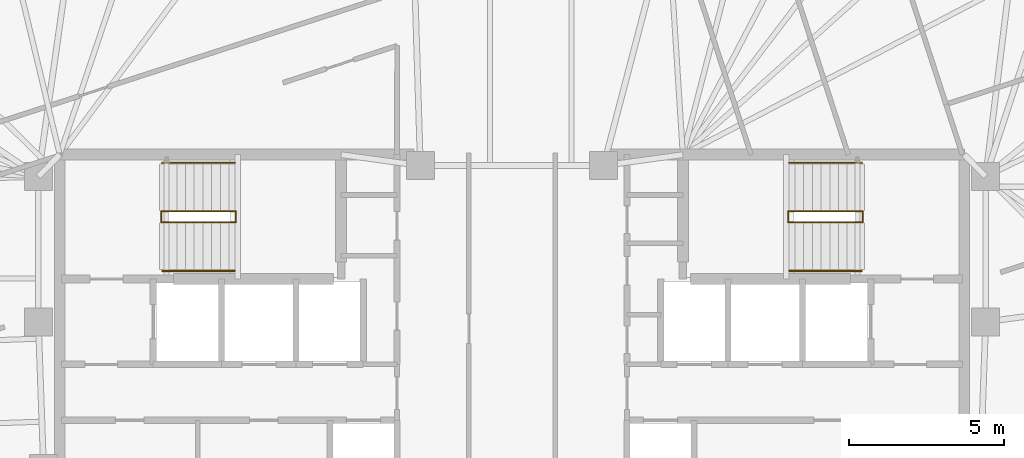
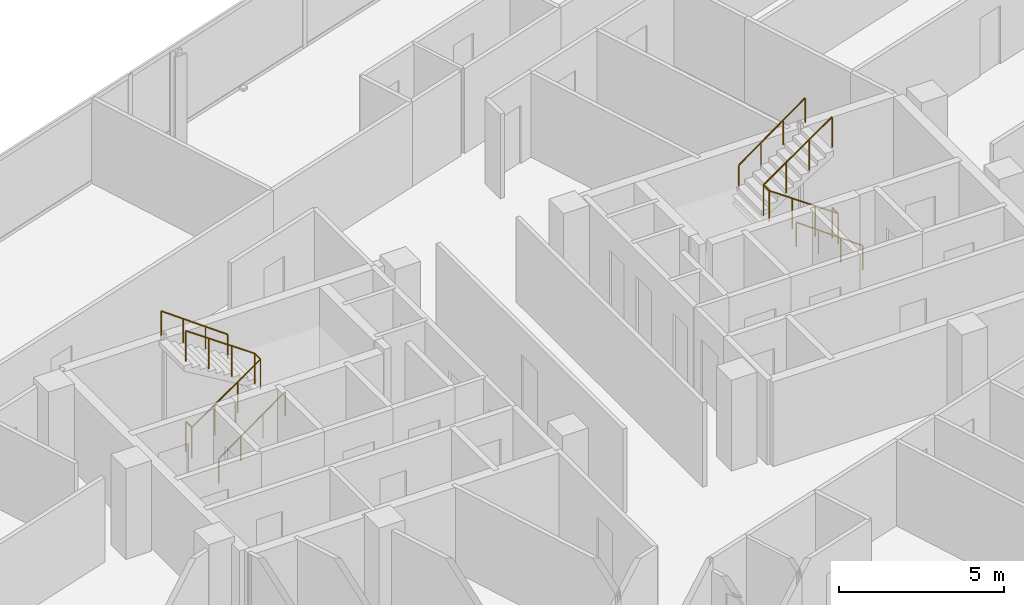
# One storey, part 19 of 19: 6 railings.
"""IFC4 building model written with IfcOpenShell, lengths in metres."""

from ifc_helpers import new_model, si_unit, direction, frame, origin, origin_2d, place, context, subcontext, project, spatial, circle, extrude, material, type_object, element, save


model = new_model("IFC4")

# Units and contexts
model_context = context("Model", 3, precision=1e-05, world=origin(), true_north=direction((0.0, 1.0)))
body_context = subcontext(model_context, "Body", "Model", "MODEL_VIEW")
ifc_project = project(units=[si_unit("LENGTHUNIT", "METRE"), si_unit("AREAUNIT", "SQUARE_METRE"), si_unit("VOLUMEUNIT", "CUBIC_METRE"), si_unit("PLANEANGLEUNIT", "RADIAN"), si_unit("MASSUNIT", "GRAM", prefix="KILO")], contexts=[model_context])

# Site, building, storey
site_placement = place(None, origin())
site = spatial("IfcSite", under=ifc_project, at=site_placement, CompositionType="ELEMENT")
building_placement = place(site_placement, origin())
building = spatial("IfcBuilding", under=site, at=building_placement, Name="Menara Jurai Vektor", CompositionType="ELEMENT")
storey_placement = place(building_placement, frame((0.0, 0.0, 234.35009765625)))
storey = spatial("IfcBuildingStorey", under=building, at=storey_placement, Name="L62", CompositionType="ELEMENT", Elevation=234.35009765625)

# Railings
ifc_material_1 = material(Name="Painted Galvanised Steel Balustrade", Category="steel")
railing_type_1 = type_object("IfcRailingType", Name="RAIL-STAIR-GUARD", PredefinedType="GUARDRAIL", material=ifc_material_1)
railing_1_placement = place(storey_placement, frame((-11.2900390625, 3.780029296875, 0.0)))
element("IfcRailing", 1, at=railing_1_placement, inside=storey, type_object=railing_type_1, Name="ST1 Stair Guardrail 1 L62", PredefinedType="GUARDRAIL", context=body_context, shape_type="SweptSolid", body=[
    extrude(circle(Radius=0.02392578125, at=origin_2d()), frame((0.0, 0.0, 1.1259765625), z_axis=(0.0, -1.0, 0.0), x_axis=(1.0, 0.0, 0.0)), (0.0, 0.0, 1.0), 0.360107421875),
    extrude(circle(Radius=0.02392578125, at=origin_2d()), frame((0.0, -0.360107421875, 1.1259765625), z_axis=(0.820081434478, 0.0, 0.572246835573), x_axis=(0.0, 1.0, 0.0)), (0.0, 0.0, 1.0), 2.9267578125),
    extrude(circle(Radius=0.02392578125, at=origin_2d()), frame((2.400146484375, -0.360107421875, 2.80078125), z_axis=(0.0, 1.0, 0.0), x_axis=(-1.0, 0.0, 0.0)), (0.0, 0.0, 1.0), 0.360107421875),
    extrude(circle(Radius=0.02392578125, at=origin_2d()), frame((2.400146484375, 0.0, 2.80078125), z_axis=(-0.820042287322, 0.0, 0.572302932898), x_axis=(0.0, -1.0, 0.0)), (0.0, 0.0, 1.0), 2.9267578125),
    extrude(circle(Radius=0.02099609375, at=origin_2d()), origin(), (0.0, 0.0, 1.0), 1.101806640625),
    extrude(circle(Radius=0.02099609375, at=origin_2d()), frame((0.0, -0.360107421875, 0.0)), (0.0, 0.0, 1.0), 1.101806640625),
    extrude(circle(Radius=0.02099609375, at=origin_2d()), frame((0.800048828125, -0.360107421875, 0.558349609375)), (0.0, 0.0, 1.0), 1.101806640625),
    extrude(circle(Radius=0.02099609375, at=origin_2d()), frame((1.60009765625, -0.360107421875, 1.116455078125)), (0.0, 0.0, 1.0), 1.101806640625),
    extrude(circle(Radius=0.02099609375, at=origin_2d()), frame((2.400146484375, -0.360107421875, 1.6748046875)), (0.0, 0.0, 1.0), 1.101806640625),
    extrude(circle(Radius=0.02099609375, at=origin_2d()), frame((2.400146484375, 0.0, 1.6748046875)), (0.0, 0.0, 1.0), 1.101806640625),
    extrude(circle(Radius=0.02099609375, at=origin_2d()), frame((1.60009765625, 0.0, 2.233154296875)), (0.0, 0.0, 1.0), 1.101806640625),
    extrude(circle(Radius=0.02099609375, at=origin_2d()), frame((0.800048828125, 0.0, 2.79150390625)), (0.0, 0.0, 1.0), 1.101806640625),
    extrude(circle(Radius=0.02099609375, at=origin_2d()), frame((0.0, 0.0, 3.349853515625)), (0.0, 0.0, 1.0), 1.101806640625),
])
railing_2_placement = place(storey_placement, frame((11.2900390625, 3.780029296875, 0.0)))
element("IfcRailing", 2, at=railing_2_placement, inside=storey, type_object=railing_type_1, Name="ST2 Stair Guardrail 1 L62", PredefinedType="GUARDRAIL", context=body_context, shape_type="SweptSolid", body=[
    extrude(circle(Radius=0.02392578125, at=origin_2d()), frame((0.0, 0.0, 1.1259765625), z_axis=(0.0, -1.0, 0.0), x_axis=(1.0, 0.0, 0.0)), (0.0, 0.0, 1.0), 0.360107421875),
    extrude(circle(Radius=0.02392578125, at=origin_2d()), frame((0.0, -0.360107421875, 1.1259765625), z_axis=(-0.820081434478, 0.0, 0.572246835573), x_axis=(0.0, -1.0, 0.0)), (0.0, 0.0, 1.0), 2.9267578125),
    extrude(circle(Radius=0.02392578125, at=origin_2d()), frame((-2.400146484375, -0.360107421875, 2.80078125), z_axis=(0.0, 1.0, 0.0), x_axis=(-1.0, 0.0, 0.0)), (0.0, 0.0, 1.0), 0.360107421875),
    extrude(circle(Radius=0.02392578125, at=origin_2d()), frame((-2.400146484375, 0.0, 2.80078125), z_axis=(0.820042287322, 0.0, 0.572302932898), x_axis=(0.0, 1.0, 0.0)), (0.0, 0.0, 1.0), 2.9267578125),
    extrude(circle(Radius=0.02099609375, at=origin_2d()), origin(), (0.0, 0.0, 1.0), 1.101806640625),
    extrude(circle(Radius=0.02099609375, at=origin_2d()), frame((0.0, -0.360107421875, 0.0)), (0.0, 0.0, 1.0), 1.101806640625),
    extrude(circle(Radius=0.02099609375, at=origin_2d()), frame((-0.800048828125, -0.360107421875, 0.558349609375)), (0.0, 0.0, 1.0), 1.101806640625),
    extrude(circle(Radius=0.02099609375, at=origin_2d()), frame((-1.60009765625, -0.360107421875, 1.116455078125)), (0.0, 0.0, 1.0), 1.101806640625),
    extrude(circle(Radius=0.02099609375, at=origin_2d()), frame((-2.400146484375, -0.360107421875, 1.6748046875)), (0.0, 0.0, 1.0), 1.101806640625),
    extrude(circle(Radius=0.02099609375, at=origin_2d()), frame((-2.400146484375, 0.0, 1.6748046875)), (0.0, 0.0, 1.0), 1.101806640625),
    extrude(circle(Radius=0.02099609375, at=origin_2d()), frame((-1.60009765625, 0.0, 2.233154296875)), (0.0, 0.0, 1.0), 1.101806640625),
    extrude(circle(Radius=0.02099609375, at=origin_2d()), frame((-0.800048828125, 0.0, 2.79150390625)), (0.0, 0.0, 1.0), 1.101806640625),
    extrude(circle(Radius=0.02099609375, at=origin_2d()), frame((0.0, 0.0, 3.349853515625)), (0.0, 0.0, 1.0), 1.101806640625),
])
ifc_material_2 = material(Name="Brushed Stainless Steel Handrail", Category="steel")
railing_type_2 = type_object("IfcRailingType", Name="RAIL-STAIR-HAND", PredefinedType="HANDRAIL", material=ifc_material_2)
railing_3_placement = place(storey_placement, frame((-11.25, 1.860107421875, 0.0)))
element("IfcRailing", 3, at=railing_3_placement, inside=storey, type_object=railing_type_2, Name="ST1 Stair Handrail 1 L62", PredefinedType="HANDRAIL", context=body_context, shape_type="SweptSolid", body=[
    extrude(circle(Radius=0.02392578125, at=origin_2d()), frame((0.0, 0.0, 0.89599609375), z_axis=(0.810811949412, 0.0, 0.585306742393), x_axis=(0.0, 1.0, 0.0)), (0.0, 0.0, 1.0), 2.861328125),
    extrude(circle(Radius=0.02099609375, at=origin_2d()), origin(), (0.0, 0.0, 1.0), 0.871826171875),
    extrude(circle(Radius=0.02099609375, at=origin_2d()), frame((0.7734375, 0.0, 0.558349609375)), (0.0, 0.0, 1.0), 0.871826171875),
    extrude(circle(Radius=0.02099609375, at=origin_2d()), frame((1.546630859375, 0.0, 1.116455078125)), (0.0, 0.0, 1.0), 0.871826171875),
    extrude(circle(Radius=0.02099609375, at=origin_2d()), frame((2.320068359375, 0.0, 1.6748046875)), (0.0, 0.0, 1.0), 0.871826171875),
])
railing_4_placement = place(storey_placement, frame((-8.929931640625, 5.340087890625, 1.6748046875)))
element("IfcRailing", 4, at=railing_4_placement, inside=storey, type_object=railing_type_2, Name="ST1 Stair Handrail 2 L62", PredefinedType="HANDRAIL", context=body_context, shape_type="SweptSolid", body=[
    extrude(circle(Radius=0.02392578125, at=origin_2d()), frame((0.0, 0.0, 0.89599609375), z_axis=(-0.810771458067, 0.0, 0.585362830032), x_axis=(0.0, -1.0, 0.0)), (0.0, 0.0, 1.0), 2.861572265625),
    extrude(circle(Radius=0.02099609375, at=origin_2d()), origin(), (0.0, 0.0, 1.0), 0.871826171875),
    extrude(circle(Radius=0.02099609375, at=origin_2d()), frame((-0.7734375, 0.0, 0.558349609375)), (0.0, 0.0, 1.0), 0.871826171875),
    extrude(circle(Radius=0.02099609375, at=origin_2d()), frame((-1.546630859375, 0.0, 1.11669921875)), (0.0, 0.0, 1.0), 0.871826171875),
    extrude(circle(Radius=0.02099609375, at=origin_2d()), frame((-2.320068359375, 0.0, 1.675048828125)), (0.0, 0.0, 1.0), 0.871826171875),
])
railing_5_placement = place(storey_placement, frame((11.25, 1.860107421875, 0.0)))
element("IfcRailing", 5, at=railing_5_placement, inside=storey, type_object=railing_type_2, Name="ST2 Stair Handrail 1 L62", PredefinedType="HANDRAIL", context=body_context, shape_type="SweptSolid", body=[
    extrude(circle(Radius=0.02392578125, at=origin_2d()), frame((0.0, 0.0, 0.89599609375), z_axis=(-0.810811949412, 0.0, 0.585306742393), x_axis=(0.0, -1.0, 0.0)), (0.0, 0.0, 1.0), 2.861328125),
    extrude(circle(Radius=0.02099609375, at=origin_2d()), origin(), (0.0, 0.0, 1.0), 0.871826171875),
    extrude(circle(Radius=0.02099609375, at=origin_2d()), frame((-0.7734375, 0.0, 0.558349609375)), (0.0, 0.0, 1.0), 0.871826171875),
    extrude(circle(Radius=0.02099609375, at=origin_2d()), frame((-1.546630859375, 0.0, 1.116455078125)), (0.0, 0.0, 1.0), 0.871826171875),
    extrude(circle(Radius=0.02099609375, at=origin_2d()), frame((-2.320068359375, 0.0, 1.6748046875)), (0.0, 0.0, 1.0), 0.871826171875),
])
railing_6_placement = place(storey_placement, frame((8.929931640625, 5.340087890625, 1.6748046875)))
element("IfcRailing", 6, at=railing_6_placement, inside=storey, type_object=railing_type_2, Name="ST2 Stair Handrail 2 L62", PredefinedType="HANDRAIL", context=body_context, shape_type="SweptSolid", body=[
    extrude(circle(Radius=0.02392578125, at=origin_2d()), frame((0.0, 0.0, 0.89599609375), z_axis=(0.810771458067, 0.0, 0.585362830032), x_axis=(0.0, 1.0, 0.0)), (0.0, 0.0, 1.0), 2.861572265625),
    extrude(circle(Radius=0.02099609375, at=origin_2d()), origin(), (0.0, 0.0, 1.0), 0.871826171875),
    extrude(circle(Radius=0.02099609375, at=origin_2d()), frame((0.7734375, 0.0, 0.558349609375)), (0.0, 0.0, 1.0), 0.871826171875),
    extrude(circle(Radius=0.02099609375, at=origin_2d()), frame((1.546630859375, 0.0, 1.11669921875)), (0.0, 0.0, 1.0), 0.871826171875),
    extrude(circle(Radius=0.02099609375, at=origin_2d()), frame((2.320068359375, 0.0, 1.675048828125)), (0.0, 0.0, 1.0), 0.871826171875),
])

save(model, "model.ifc")
